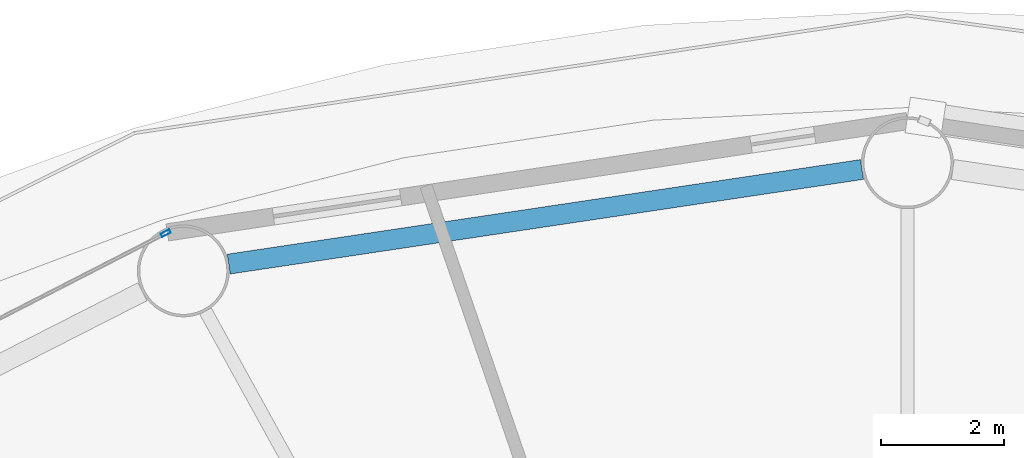
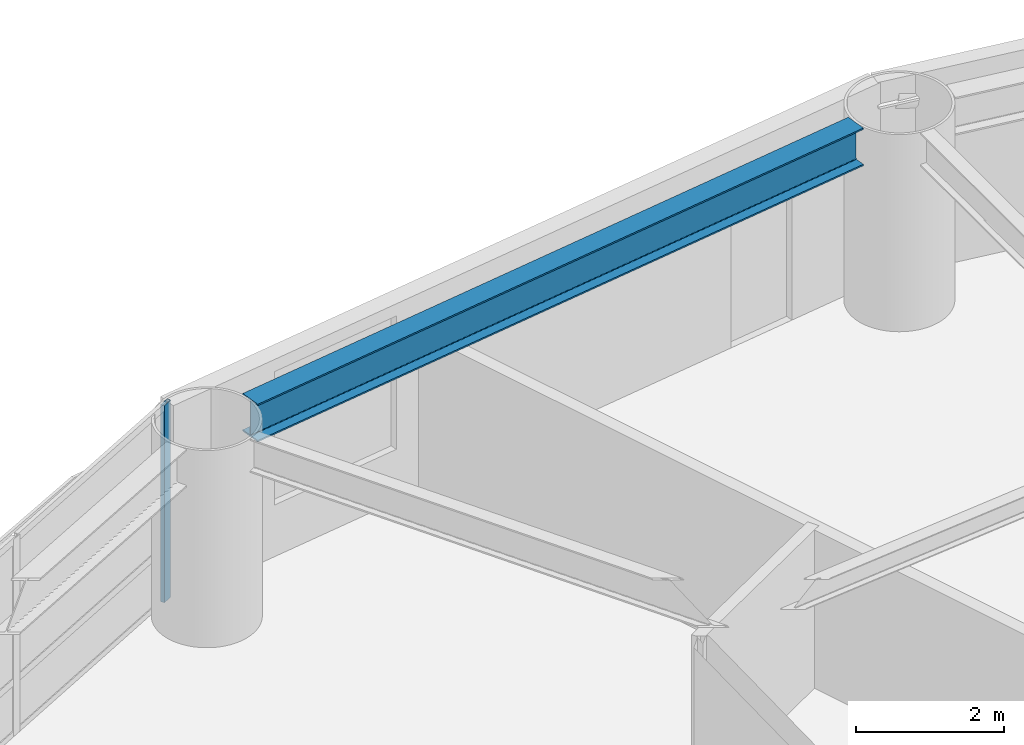
# One storey, part 11 of 27: 1 beam, 1 member, 1 element without a shape of its own.
"""IFC4 building model written with IfcOpenShell, lengths in metres."""

from ifc_helpers import new_model, si_unit, direction, frame, origin, origin_2d, place, context, subcontext, project, spatial, hollow_rectangle, i_section, extrude, material, layer, layer_set, material_profile, profile_set, type_object, element, aggregate, save


model = new_model("IFC4")

# Units and contexts
model_context = context("Model", 3, precision=1e-05, world=origin(), true_north=direction((0.0, 1.0)))
body_context = subcontext(model_context, "Body", "Model", "MODEL_VIEW")
ifc_project = project(units=[si_unit("LENGTHUNIT", "METRE"), si_unit("AREAUNIT", "SQUARE_METRE"), si_unit("VOLUMEUNIT", "CUBIC_METRE"), si_unit("PLANEANGLEUNIT", "RADIAN"), si_unit("MASSUNIT", "GRAM", prefix="KILO")], contexts=[model_context])

# Site, building, storey
site_placement = place(None, origin())
site = spatial("IfcSite", under=ifc_project, at=site_placement, CompositionType="ELEMENT")
building_placement = place(site_placement, origin())
building = spatial("IfcBuilding", under=site, at=building_placement, Name="Sarneth Arch Tower", CompositionType="ELEMENT")
storey_placement = place(building_placement, frame((0.0, 0.0, 75.0)))
storey = spatial("IfcBuildingStorey", under=building, at=storey_placement, Name="L18", CompositionType="ELEMENT", Elevation=75.0)

# Beam
ifc_material_1 = material(Name="Steel S355", Category="steel")
ifc_material_profile_1 = material_profile(ifc_material_1, i_section(OverallWidth=0.326904296875, OverallDepth=0.6220703125, WebThickness=0.015380859375, FlangeThickness=0.0244140625, FilletRadius=0.01904296875, at=origin_2d()), Name="W610x195")
ifc_profile_set_1 = profile_set([ifc_material_profile_1], Name="Steel S355")
beam_type = type_object("IfcBeamType", Name="BM-SPAN-610A", PredefinedType="SPANDREL", material=ifc_profile_set_1)
beam_placement = place(storey_placement, frame((47.25830078125, 65.089111328125, 2.93896484375), z_axis=(-0.989020169581, -0.147780594675, 0.0), x_axis=(0.147780594675, -0.989020169581, 0.0)))
element("IfcBeam", 1, at=beam_placement, inside=storey, type_object=beam_type, Name="L18 Perimeter spandrel beam 05", PredefinedType="SPANDREL", context=body_context, shape_type="SweptSolid", body=[
    extrude(i_section(OverallWidth=0.326904296875, OverallDepth=0.6220703125, WebThickness=0.015380859375, FlangeThickness=0.0244140625, FilletRadius=0.01904296875, at=origin_2d()), origin(), (0.0, 0.0, 1.0), 10.44921875),
])

# Curtain wall, member
ifc_material_2 = material(Name="Anodised aluminium Type AA25 and solar-control low-e laminated IGU", Category="aluminium")
ifc_layer = layer(ifc_material_2, 0.159912109375)
ifc_layer_set = layer_set([ifc_layer], Name="Anodised aluminium Type AA25 and solar-control low-e laminated IGU")
curtain_wall_type = type_object("IfcCurtainWallType", Name="CW-HOTEL-LOW", PredefinedType="NOTDEFINED", material=ifc_layer_set)
curtain_wall_placement = place(storey_placement, origin())
curtain_wall = element("IfcCurtainWall", 2, at=curtain_wall_placement, inside=storey, type_object=curtain_wall_type, Name="L18 Unitised curtain wall facet 06", PredefinedType="NOTDEFINED")
ifc_material_3 = material(Name="Anodised Aluminium 6063-T6", Category="aluminium")
ifc_material_profile_2 = material_profile(ifc_material_3, hollow_rectangle(XDim=0.06005859375, YDim=0.159912109375, WallThickness=0.00390625, at=origin_2d()), Name="AL-MULL-160x60x4")
ifc_profile_set_2 = profile_set([ifc_material_profile_2], Name="Anodised Aluminium 6063-T6")
member_type = type_object("IfcMemberType", Name="CW-MULLION", PredefinedType="MULLION", material=ifc_profile_set_2)
member_placement = place(storey_placement, frame((35.8955078125, 64.048583984375, 0.0), z_axis=(0.0, 0.0, 1.0), x_axis=(0.456245197127, -0.889854100456, 0.0)))
member = element("IfcMember", 3, at=member_placement, type_object=member_type, Name="CW-SYS-3 mullion 1", PredefinedType="MULLION", context=body_context, shape_type="SweptSolid", body=[
    extrude(hollow_rectangle(XDim=0.06005859375, YDim=0.159912109375, WallThickness=0.00390625, at=origin_2d()), origin(), (0.0, 0.0, 1.0), 3.25),
])
aggregate(curtain_wall, [member])

save(model, "model.ifc")
